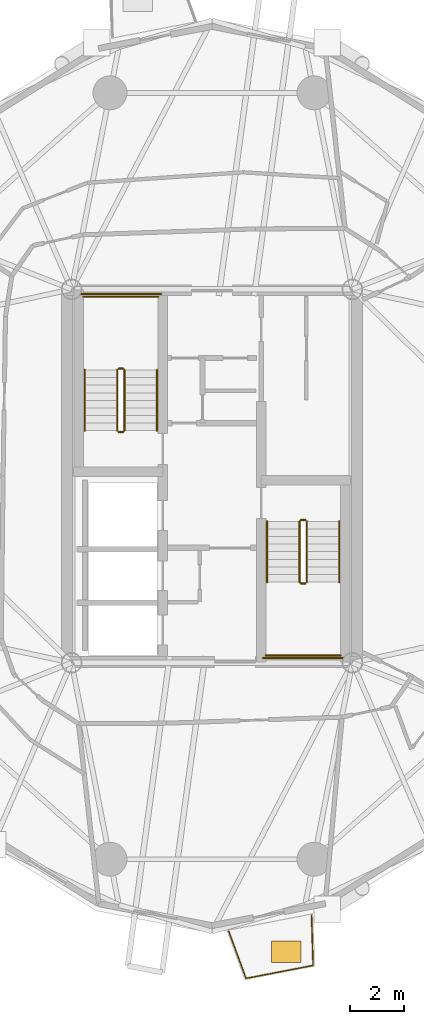
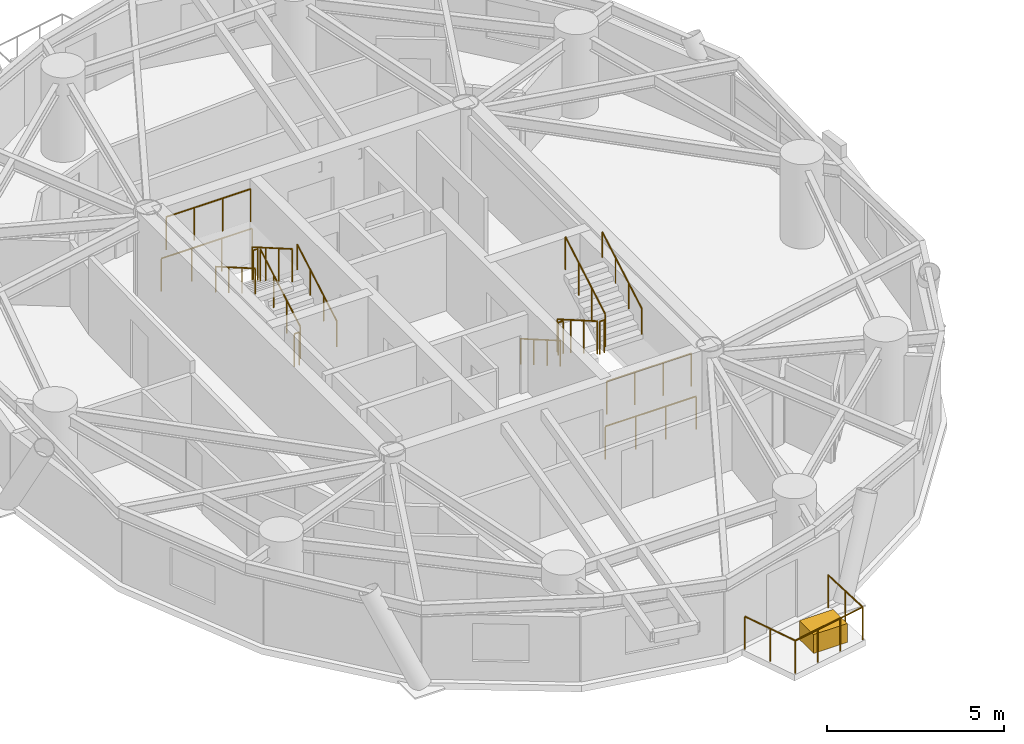
# One storey, part 16 of 18: 17 railings, 1 covering.
"""IFC4 building model written with IfcOpenShell, lengths in metres."""

import ifcopenshell
import ifcopenshell.guid

model = None  # the IFC model being written
_history = None  # IfcOwnerHistory: only IFC2X3 demands one
_inside = {}  # id of a spatial element -> (the spatial element, [elements in it])
_under = {}  # id of a project, library or spatial element -> (it, [spatial elements below it])
_declared = {}  # id of a project -> (the project, [libraries it declares])
_typed = {}  # id of a type object -> (the type object, [elements of that type])
_made_of = {}  # id of a material, layer set ... -> (it, [elements and type objects made of it])


def new_model(schema):
    """Start an empty IFC model of exactly this schema.

    Asked for "IFC4X3", IfcOpenShell would pick the latest addendum, in which some entities
    have other attributes; the version numbers below select the first issue.
    IFC2X3 requires an IfcOwnerHistory on every rooted entity: one is made here for all.
    """
    global model, _history
    if schema == "IFC4X3":
        model = ifcopenshell.file(schema_version=(4, 3, 0, 0))
    else:
        model = ifcopenshell.file(schema=schema)
    _inside.clear()
    _under.clear()
    _declared.clear()
    _typed.clear()
    _made_of.clear()
    _history = None
    if model.schema == "IFC2X3":
        org = make("IfcOrganization", Name="unknown")
        user = make(
            "IfcPersonAndOrganization",
            ThePerson=make("IfcPerson", FamilyName="unknown"),
            TheOrganization=org,
        )
        app = make(
            "IfcApplication",
            ApplicationDeveloper=org,
            Version="unknown",
            ApplicationFullName="unknown",
            ApplicationIdentifier="unknown",
        )
        _history = make(
            "IfcOwnerHistory",
            OwningUser=user,
            OwningApplication=app,
            ChangeAction="ADDED",
            CreationDate=0,
        )
    return model


def make(cls, **values):
    """One entity of the class cls with the attributes given. An attribute that is None is left unset."""
    return model.create_entity(
        cls, **{name: value for name, value in values.items() if value is not None}
    )


def rooted(cls, **values):
    """An entity with a GlobalId (a new one), such as an element, a storey or a relation."""
    return make(cls, GlobalId=ifcopenshell.guid.new(), OwnerHistory=_history, **values)


def si_unit(unit_type, name, prefix=None):
    """IfcSIUnit, for example si_unit("LENGTHUNIT", "METRE", prefix="MILLI")."""
    return make("IfcSIUnit", UnitType=unit_type, Prefix=prefix, Name=name)


def assignment(units):
    """IfcUnitAssignment: the units of a project."""
    return None if units is None else make("IfcUnitAssignment", Units=units)


def point(xyz):
    """IfcCartesianPoint."""
    return None if xyz is None else make("IfcCartesianPoint", Coordinates=xyz)


def direction(xyz):
    """IfcDirection."""
    return None if xyz is None else make("IfcDirection", DirectionRatios=xyz)


def frame(location, z_axis=None, x_axis=None):
    """IfcAxis2Placement3D, a coordinate frame: its origin and axes. An axis left out is left unset."""
    return make(
        "IfcAxis2Placement3D",
        Location=point(location),
        Axis=direction(z_axis),
        RefDirection=direction(x_axis),
    )


def frame_2d(location, x_axis=None):
    """IfcAxis2Placement2D, a coordinate frame in the plane: its origin and x axis."""
    return make(
        "IfcAxis2Placement2D", Location=point(location), RefDirection=direction(x_axis)
    )


def origin():
    """The frame at (0, 0, 0) with its axes left unset."""
    return frame((0.0, 0.0, 0.0))


def origin_2d():
    """The frame at (0, 0) in the plane with its x axis left unset."""
    return frame_2d((0.0, 0.0))


def place(relative_to, where):
    """IfcLocalPlacement: puts the frame where relative to a parent placement (None: the world)."""
    return make(
        "IfcLocalPlacement", PlacementRelTo=relative_to, RelativePlacement=where
    )


def context(
    kind, dimensions, precision=None, world=None, true_north=None, identifier=None
):
    """IfcGeometricRepresentationContext, for example the 3D "Model" context."""
    return make(
        "IfcGeometricRepresentationContext",
        ContextIdentifier=identifier,
        ContextType=kind,
        CoordinateSpaceDimension=dimensions,
        Precision=precision,
        WorldCoordinateSystem=world,
        TrueNorth=true_north,
    )


def subcontext(parent, identifier, kind, view, scale=None):
    """IfcGeometricRepresentationSubContext, for example "Body" below "Model"."""
    return make(
        "IfcGeometricRepresentationSubContext",
        ContextIdentifier=identifier,
        ContextType=kind,
        ParentContext=parent,
        TargetScale=scale,
        TargetView=view,
    )


def project(units=None, contexts=None):
    """IfcProject with its units and contexts."""
    return rooted(
        "IfcProject",
        Name="project",
        RepresentationContexts=contexts,
        UnitsInContext=assignment(units),
    )


def spatial(cls, under=None, at=None, **own):
    """A site, building, storey or space (cls), placed at a placement, below another one or the project."""
    s = rooted(cls, ObjectPlacement=at, **own)
    if under is not None:
        _under.setdefault(under.id(), (under, []))[1].append(s)
    return s


def profile(cls, at=None, kind="AREA", **sizes):
    """A parametric profile (cls). Its sizes go by their IFC names, for example OverallWidth=200.0."""
    return make(cls, ProfileType=kind, Position=at, **sizes)


def rectangle(**sizes):
    """IfcRectangleProfileDef."""
    return profile("IfcRectangleProfileDef", **sizes)


def circle(**sizes):
    """IfcCircleProfileDef."""
    return profile("IfcCircleProfileDef", **sizes)


def extrude(swept, where, along, depth):
    """IfcExtrudedAreaSolid: the profile swept, set in the frame where, extruded along a direction by depth."""
    return make(
        "IfcExtrudedAreaSolid",
        SweptArea=swept,
        Position=where,
        ExtrudedDirection=direction(along),
        Depth=depth,
    )


def shape(context_of_items, identifier, shape_type, items):
    """IfcShapeRepresentation: the items that make up one representation, for example the "Body"."""
    return make(
        "IfcShapeRepresentation",
        ContextOfItems=context_of_items,
        RepresentationIdentifier=identifier,
        RepresentationType=shape_type,
        Items=items,
    )


def source(mapping_origin, context_of_items, identifier, shape_type, items):
    """IfcRepresentationMap: a shape defined once, which mapped items show again and again."""
    return make(
        "IfcRepresentationMap",
        MappingOrigin=mapping_origin,
        MappedRepresentation=shape(context_of_items, identifier, shape_type, items),
    )


def transform(
    local_origin,
    x_axis=None,
    y_axis=None,
    z_axis=None,
    scale=None,
    scale2=None,
    scale3=None,
    uniform=True,
):
    """IfcCartesianTransformationOperator3D, or its non-uniform kind. x_axis, y_axis, z_axis: its Axis1, 2, 3."""
    if uniform:
        return make(
            "IfcCartesianTransformationOperator3D",
            Axis1=direction(x_axis),
            Axis2=direction(y_axis),
            LocalOrigin=point(local_origin),
            Scale=scale,
            Axis3=direction(z_axis),
        )
    return make(
        "IfcCartesianTransformationOperator3DnonUniform",
        Axis1=direction(x_axis),
        Axis2=direction(y_axis),
        LocalOrigin=point(local_origin),
        Scale=scale,
        Axis3=direction(z_axis),
        Scale2=scale2,
        Scale3=scale3,
    )


def mapped(mapping_source, mapping_target):
    """IfcMappedItem: shows the shape of a source again, moved by a transform."""
    return make(
        "IfcMappedItem", MappingSource=mapping_source, MappingTarget=mapping_target
    )


def material(Name=None, Category=None):
    """IfcMaterial."""
    return make("IfcMaterial", Name=Name, Category=Category)


def layer(
    of_material, thickness, ventilated=None, Name=None, Category=None, Priority=None
):
    """IfcMaterialLayer: one layer of a wall or slab, of a material (None: an air gap)."""
    return make(
        "IfcMaterialLayer",
        Material=of_material,
        LayerThickness=thickness,
        IsVentilated=ventilated,
        Name=Name,
        Category=Category,
        Priority=Priority,
    )


def layer_set(layers, Name=None):
    """IfcMaterialLayerSet."""
    return make("IfcMaterialLayerSet", MaterialLayers=layers, LayerSetName=Name)


def made_of(thing, what):
    """Note that an element or type object is made of a material, layer set ...; save() writes the relation."""
    if what is not None:
        _made_of.setdefault(what.id(), (what, []))[1].append(thing)
    return thing


def type_object(cls, material=None, **own):
    """A type object (cls), such as IfcWallType, which elements share."""
    return made_of(rooted(cls, **own), material)


def element(
    cls,
    number,
    at=None,
    inside=None,
    cuts=None,
    type_object=None,
    material=None,
    context=None,
    identifier="Body",
    shape_type=None,
    held_by="IfcProductDefinitionShape",
    body=None,
    shapes=None,
    **own,
):
    """One element of the class cls, such as IfcWall. Its Tag is "e" and its number.

    at: its placement. inside: the storey or other place that contains it. cuts: it is an
    opening in that element (IfcRelVoidsElement). A single representation is given by context,
    identifier, shape_type and body (its items); several are given by shapes. held_by: the class
    of the entity that holds the representations. save() writes the other relations.
    """
    e = rooted(cls, Tag="e%d" % number, ObjectPlacement=at, **own)
    if body is not None:
        shapes = [shape(context, identifier, shape_type, body)]
    if shapes is not None:
        e.Representation = make(held_by, Representations=shapes)
    if inside is not None:
        _inside.setdefault(inside.id(), (inside, []))[1].append(e)
    if cuts is not None:
        rooted(
            "IfcRelVoidsElement", RelatingBuildingElement=cuts, RelatedOpeningElement=e
        )
    if type_object is not None:
        _typed.setdefault(type_object.id(), (type_object, []))[1].append(e)
    return made_of(e, material)


def aggregate(whole, parts):
    """IfcRelAggregates: a whole, such as a stair, and the parts it consists of."""
    return rooted("IfcRelAggregates", RelatingObject=whole, RelatedObjects=parts)


def save(model, path):
    """Write the relations noted so far, then the file.

    IfcRelAggregates (storeys below a building ...), IfcRelContainedInSpatialStructure (elements
    in a storey), IfcRelDefinesByType, IfcRelAssociatesMaterial and IfcRelDeclares: one each for
    every whole, place, type object, material and project.
    """
    for whole, parts in _under.values():
        aggregate(whole, parts)
    for where, things in _inside.values():
        rooted(
            "IfcRelContainedInSpatialStructure",
            RelatedElements=things,
            RelatingStructure=where,
        )
    for kind, things in _typed.values():
        rooted("IfcRelDefinesByType", RelatedObjects=things, RelatingType=kind)
    for what, things in _made_of.values():
        rooted("IfcRelAssociatesMaterial", RelatedObjects=things, RelatingMaterial=what)
    for by, libraries in _declared.values():
        rooted("IfcRelDeclares", RelatingContext=by, RelatedDefinitions=libraries)
    model.write(path)


model = new_model("IFC4")

# Units and contexts
model_context = context("Model", 3, precision=1e-05, world=origin(), true_north=direction((0.0, 1.0)))
body_context = subcontext(model_context, "Body", "Model", "MODEL_VIEW")
ifc_project = project(units=[si_unit("LENGTHUNIT", "METRE"), si_unit("AREAUNIT", "SQUARE_METRE"), si_unit("VOLUMEUNIT", "CUBIC_METRE"), si_unit("PLANEANGLEUNIT", "RADIAN"), si_unit("MASSUNIT", "GRAM", prefix="KILO")], contexts=[model_context])

# Site, building, storey
site_placement = place(None, origin())
site = spatial("IfcSite", under=ifc_project, at=site_placement, CompositionType="ELEMENT")
building_placement = place(site_placement, origin())
building = spatial("IfcBuilding", under=site, at=building_placement, Name="Cununo Teusaquillo Station Towers", CompositionType="ELEMENT")
storey_placement = place(building_placement, frame((0.0, 0.0, 169.06005859375)))
storey = spatial("IfcBuildingStorey", under=building, at=storey_placement, Name="L53", CompositionType="ELEMENT", Elevation=169.06005859375)

# Railings
ifc_material_1 = material(Name="Anodised dark bronze aluminium EN AW-6063-T6", Category="aluminium")
railing_type_1 = type_object("IfcRailingType", Name="RL-EXT-GUARD", PredefinedType="GUARDRAIL", material=ifc_material_1)
railing_1_placement = place(storey_placement, frame((20.168701171875, 8.3125, 0.0)))
element("IfcRailing", 1, at=railing_1_placement, inside=storey, type_object=railing_type_1, Name="L53 Tower A Balcony Guardrail C15", PredefinedType="GUARDRAIL", context=body_context, shape_type="SweptSolid", body=[
    extrude(circle(Radius=0.02392578125, at=origin_2d()), frame((0.0, 0.0, 1.1259765625), z_axis=(0.030460792522, -0.999535962394, 0.0), x_axis=(0.999535962394, 0.030460792522, 0.0)), (0.0, 0.0, 1.0), 1.8515625),
    extrude(circle(Radius=0.02392578125, at=origin_2d()), frame((0.056396484375, -1.8505859375, 1.1259765625), z_axis=(-0.981842829823, -0.189696224332, 0.0), x_axis=(0.189696224332, -0.981842829823, 0.0)), (0.0, 0.0, 1.0), 2.517333984375),
    extrude(circle(Radius=0.02392578125, at=origin_2d()), frame((-2.415283203125, -2.328125, 1.1259765625), z_axis=(-0.3440608985, 0.938947335117, 0.0), x_axis=(-0.938947335117, -0.3440608985, 0.0)), (0.0, 0.0, 1.0), 1.851318359375),
    extrude(circle(Radius=0.02099609375, at=origin_2d()), origin(), (0.0, 0.0, 1.0), 1.101806640625),
    extrude(circle(Radius=0.02099609375, at=origin_2d()), frame((0.0283203125, -0.92529296875, 0.0)), (0.0, 0.0, 1.0), 1.101806640625),
    extrude(circle(Radius=0.02099609375, at=origin_2d()), frame((0.056396484375, -1.8505859375, 0.0)), (0.0, 0.0, 1.0), 1.101806640625),
    extrude(circle(Radius=0.02099609375, at=origin_2d()), frame((-0.767578125, -2.009765625, 0.0)), (0.0, 0.0, 1.0), 1.101806640625),
    extrude(circle(Radius=0.02099609375, at=origin_2d()), frame((-1.59130859375, -2.1689453125, 0.0)), (0.0, 0.0, 1.0), 1.101806640625),
    extrude(circle(Radius=0.02099609375, at=origin_2d()), frame((-2.415283203125, -2.328125, 0.0)), (0.0, 0.0, 1.0), 1.101806640625),
    extrude(circle(Radius=0.02099609375, at=origin_2d()), frame((-2.73388671875, -1.458984375, 0.0)), (0.0, 0.0, 1.0), 1.101806640625),
    extrude(circle(Radius=0.02099609375, at=origin_2d()), frame((-3.05224609375, -0.58984375, 0.0)), (0.0, 0.0, 1.0), 1.101806640625),
])
ifc_material_2 = material(Name="Steel EN 10025-2 S355J2", Category="steel")
railing_type_2 = type_object("IfcRailingType", Name="RL-INT-GUARD", PredefinedType="GUARDRAIL", material=ifc_material_2)
railing_2_placement = place(storey_placement, frame((13.27001953125, 26.169921875, 0.16162109375)))
element("IfcRailing", 2, at=railing_2_placement, inside=storey, type_object=railing_type_2, Name="L53 ST-T1-1 stair guard 1", PredefinedType="GUARDRAIL", context=body_context, shape_type="SweptSolid", body=[
    extrude(circle(Radius=0.02392578125, at=origin_2d()), frame((0.0, 0.0, 1.1259765625), z_axis=(0.0, 0.866033117094, 0.499986639918), x_axis=(-1.0, 0.0, 0.0)), (0.0, 0.0, 1.0), 2.58642578125),
    extrude(circle(Radius=0.02099609375, at=origin_2d()), origin(), (0.0, 0.0, 1.0), 1.101806640625),
    extrude(circle(Radius=0.02099609375, at=origin_2d()), frame((0.0, 0.74658203125, 0.43115234375)), (0.0, 0.0, 1.0), 1.101806640625),
    extrude(circle(Radius=0.02099609375, at=origin_2d()), frame((0.0, 1.493408203125, 0.862060546875)), (0.0, 0.0, 1.0), 1.101806640625),
    extrude(circle(Radius=0.02099609375, at=origin_2d()), frame((0.0, 2.239990234375, 1.293212890625)), (0.0, 0.0, 1.0), 1.101806640625),
])
railing_3_placement = place(storey_placement, frame((13.219970703125, 28.4599609375, 1.454833984375)))
element("IfcRailing", 3, at=railing_3_placement, inside=storey, type_object=railing_type_2, Name="L53 ST-T1-1 stair guard 2", PredefinedType="GUARDRAIL", context=body_context, shape_type="SweptSolid", body=[
    extrude(circle(Radius=0.02392578125, at=origin_2d()), frame((0.0, 0.0, 1.1259765625), z_axis=(-1.0, 0.0, 0.0), x_axis=(0.0, -1.0, 0.0)), (0.0, 0.0, 1.0), 0.159912109375),
    extrude(circle(Radius=0.02099609375, at=origin_2d()), origin(), (0.0, 0.0, 1.0), 1.101806640625),
    extrude(circle(Radius=0.02099609375, at=origin_2d()), frame((-0.159912109375, 0.0, 0.0)), (0.0, 0.0, 1.0), 1.101806640625),
])
railing_4_placement = place(storey_placement, frame((14.52001953125, 31.110107421875, 1.454833984375)))
element("IfcRailing", 4, at=railing_4_placement, inside=storey, type_object=railing_type_2, Name="L53 ST-T1-1 stair guard 3", PredefinedType="GUARDRAIL", context=body_context, shape_type="SweptSolid", body=[
    extrude(circle(Radius=0.02392578125, at=origin_2d()), frame((0.0, 0.0, 1.1259765625), z_axis=(-1.0, 0.0, 0.0), x_axis=(0.0, -1.0, 0.0)), (0.0, 0.0, 1.0), 2.760009765625),
    extrude(circle(Radius=0.02099609375, at=origin_2d()), origin(), (0.0, 0.0, 1.0), 1.101806640625),
    extrude(circle(Radius=0.02099609375, at=origin_2d()), frame((-0.919921875, 0.0, 0.0)), (0.0, 0.0, 1.0), 1.101806640625),
    extrude(circle(Radius=0.02099609375, at=origin_2d()), frame((-1.840087890625, 0.0, 0.0)), (0.0, 0.0, 1.0), 1.101806640625),
    extrude(circle(Radius=0.02099609375, at=origin_2d()), frame((-2.760009765625, 0.0, 0.0)), (0.0, 0.0, 1.0), 1.101806640625),
])
railing_5_placement = place(storey_placement, frame((13.010009765625, 28.409912109375, 1.61669921875)))
element("IfcRailing", 5, at=railing_5_placement, inside=storey, type_object=railing_type_2, Name="L53 ST-T1-1 stair guard 4", PredefinedType="GUARDRAIL", context=body_context, shape_type="SweptSolid", body=[
    extrude(circle(Radius=0.02392578125, at=origin_2d()), frame((0.0, 0.0, 1.1259765625), z_axis=(0.0, -0.866033117094, 0.499986639918), x_axis=(1.0, 0.0, 0.0)), (0.0, 0.0, 1.0), 2.58642578125),
    extrude(circle(Radius=0.02099609375, at=origin_2d()), origin(), (0.0, 0.0, 1.0), 1.101806640625),
    extrude(circle(Radius=0.02099609375, at=origin_2d()), frame((0.0, -0.74658203125, 0.43115234375)), (0.0, 0.0, 1.0), 1.101806640625),
    extrude(circle(Radius=0.02099609375, at=origin_2d()), frame((0.0, -1.493408203125, 0.862060546875)), (0.0, 0.0, 1.0), 1.101806640625),
    extrude(circle(Radius=0.02099609375, at=origin_2d()), frame((0.0, -2.239990234375, 1.293212890625)), (0.0, 0.0, 1.0), 1.101806640625),
])
railing_6_placement = place(storey_placement, frame((13.219970703125, 26.1201171875, 0.0)))
element("IfcRailing", 6, at=railing_6_placement, inside=storey, type_object=railing_type_2, Name="L53 ST-T1-1 stair guard 5", PredefinedType="GUARDRAIL", context=body_context, shape_type="SweptSolid", body=[
    extrude(circle(Radius=0.02392578125, at=origin_2d()), frame((0.0, 0.0, 1.1259765625), z_axis=(-1.0, 0.0, 0.0), x_axis=(0.0, -1.0, 0.0)), (0.0, 0.0, 1.0), 0.159912109375),
    extrude(circle(Radius=0.02099609375, at=origin_2d()), origin(), (0.0, 0.0, 1.0), 1.101806640625),
    extrude(circle(Radius=0.02099609375, at=origin_2d()), frame((-0.159912109375, 0.0, 0.0)), (0.0, 0.0, 1.0), 1.101806640625),
])
railing_7_placement = place(storey_placement, frame((14.6201171875, 31.2099609375, 0.0)))
element("IfcRailing", 7, at=railing_7_placement, inside=storey, type_object=railing_type_2, Name="L53 ST-T1-1 stair guard 6", PredefinedType="GUARDRAIL", context=body_context, shape_type="SweptSolid", body=[
    extrude(circle(Radius=0.02392578125, at=origin_2d()), frame((0.0, 0.0, 1.1259765625), z_axis=(-1.0, 0.0, 0.0), x_axis=(0.0, -1.0, 0.0)), (0.0, 0.0, 1.0), 2.960205078125),
    extrude(circle(Radius=0.02099609375, at=origin_2d()), origin(), (0.0, 0.0, 1.0), 1.101806640625),
    extrude(circle(Radius=0.02099609375, at=origin_2d()), frame((-0.98681640625, 0.0, 0.0)), (0.0, 0.0, 1.0), 1.101806640625),
    extrude(circle(Radius=0.02099609375, at=origin_2d()), frame((-1.973388671875, 0.0, 0.0)), (0.0, 0.0, 1.0), 1.101806640625),
    extrude(circle(Radius=0.02099609375, at=origin_2d()), frame((-2.960205078125, 0.0, 0.0)), (0.0, 0.0, 1.0), 1.101806640625),
])
railing_8_placement = place(storey_placement, frame((19.72998046875, 22.830078125, 0.16162109375)))
element("IfcRailing", 8, at=railing_8_placement, inside=storey, type_object=railing_type_2, Name="L53 ST-T1-2 stair guard 1", PredefinedType="GUARDRAIL", context=body_context, shape_type="SweptSolid", body=[
    extrude(circle(Radius=0.02392578125, at=origin_2d()), frame((0.0, 0.0, 1.1259765625), z_axis=(0.0, -0.866033117094, 0.499986639918), x_axis=(1.0, 0.0, 0.0)), (0.0, 0.0, 1.0), 2.58642578125),
    extrude(circle(Radius=0.02099609375, at=origin_2d()), origin(), (0.0, 0.0, 1.0), 1.101806640625),
    extrude(circle(Radius=0.02099609375, at=origin_2d()), frame((0.0, -0.74658203125, 0.43115234375)), (0.0, 0.0, 1.0), 1.101806640625),
    extrude(circle(Radius=0.02099609375, at=origin_2d()), frame((0.0, -1.493408203125, 0.862060546875)), (0.0, 0.0, 1.0), 1.101806640625),
    extrude(circle(Radius=0.02099609375, at=origin_2d()), frame((0.0, -2.239990234375, 1.293212890625)), (0.0, 0.0, 1.0), 1.101806640625),
])
railing_9_placement = place(storey_placement, frame((19.780029296875, 20.5400390625, 1.454833984375)))
element("IfcRailing", 9, at=railing_9_placement, inside=storey, type_object=railing_type_2, Name="L53 ST-T1-2 stair guard 2", PredefinedType="GUARDRAIL", context=body_context, shape_type="SweptSolid", body=[
    extrude(circle(Radius=0.02392578125, at=origin_2d()), frame((0.0, 0.0, 1.1259765625), z_axis=(1.0, 0.0, 0.0), x_axis=(0.0, 1.0, 0.0)), (0.0, 0.0, 1.0), 0.159912109375),
    extrude(circle(Radius=0.02099609375, at=origin_2d()), origin(), (0.0, 0.0, 1.0), 1.101806640625),
    extrude(circle(Radius=0.02099609375, at=origin_2d()), frame((0.159912109375, 0.0, 0.0)), (0.0, 0.0, 1.0), 1.101806640625),
])
railing_10_placement = place(storey_placement, frame((18.47998046875, 17.889892578125, 1.454833984375)))
element("IfcRailing", 10, at=railing_10_placement, inside=storey, type_object=railing_type_2, Name="L53 ST-T1-2 stair guard 3", PredefinedType="GUARDRAIL", context=body_context, shape_type="SweptSolid", body=[
    extrude(circle(Radius=0.02392578125, at=origin_2d()), frame((0.0, 0.0, 1.1259765625), z_axis=(1.0, 0.0, 0.0), x_axis=(0.0, 1.0, 0.0)), (0.0, 0.0, 1.0), 2.760009765625),
    extrude(circle(Radius=0.02099609375, at=origin_2d()), origin(), (0.0, 0.0, 1.0), 1.101806640625),
    extrude(circle(Radius=0.02099609375, at=origin_2d()), frame((0.919921875, 0.0, 0.0)), (0.0, 0.0, 1.0), 1.101806640625),
    extrude(circle(Radius=0.02099609375, at=origin_2d()), frame((1.840087890625, 0.0, 0.0)), (0.0, 0.0, 1.0), 1.101806640625),
    extrude(circle(Radius=0.02099609375, at=origin_2d()), frame((2.760009765625, 0.0, 0.0)), (0.0, 0.0, 1.0), 1.101806640625),
])
railing_11_placement = place(storey_placement, frame((19.989990234375, 20.590087890625, 1.61669921875)))
element("IfcRailing", 11, at=railing_11_placement, inside=storey, type_object=railing_type_2, Name="L53 ST-T1-2 stair guard 4", PredefinedType="GUARDRAIL", context=body_context, shape_type="SweptSolid", body=[
    extrude(circle(Radius=0.02392578125, at=origin_2d()), frame((0.0, 0.0, 1.1259765625), z_axis=(0.0, 0.866033117094, 0.499986639918), x_axis=(-1.0, 0.0, 0.0)), (0.0, 0.0, 1.0), 2.58642578125),
    extrude(circle(Radius=0.02099609375, at=origin_2d()), origin(), (0.0, 0.0, 1.0), 1.101806640625),
    extrude(circle(Radius=0.02099609375, at=origin_2d()), frame((0.0, 0.74658203125, 0.43115234375)), (0.0, 0.0, 1.0), 1.101806640625),
    extrude(circle(Radius=0.02099609375, at=origin_2d()), frame((0.0, 1.493408203125, 0.862060546875)), (0.0, 0.0, 1.0), 1.101806640625),
    extrude(circle(Radius=0.02099609375, at=origin_2d()), frame((0.0, 2.239990234375, 1.293212890625)), (0.0, 0.0, 1.0), 1.101806640625),
])
railing_12_placement = place(storey_placement, frame((19.780029296875, 22.8798828125, 0.0)))
element("IfcRailing", 12, at=railing_12_placement, inside=storey, type_object=railing_type_2, Name="L53 ST-T1-2 stair guard 5", PredefinedType="GUARDRAIL", context=body_context, shape_type="SweptSolid", body=[
    extrude(circle(Radius=0.02392578125, at=origin_2d()), frame((0.0, 0.0, 1.1259765625), z_axis=(1.0, 0.0, 0.0), x_axis=(0.0, 1.0, 0.0)), (0.0, 0.0, 1.0), 0.159912109375),
    extrude(circle(Radius=0.02099609375, at=origin_2d()), origin(), (0.0, 0.0, 1.0), 1.101806640625),
    extrude(circle(Radius=0.02099609375, at=origin_2d()), frame((0.159912109375, 0.0, 0.0)), (0.0, 0.0, 1.0), 1.101806640625),
])
railing_13_placement = place(storey_placement, frame((18.3798828125, 17.7900390625, 0.0)))
element("IfcRailing", 13, at=railing_13_placement, inside=storey, type_object=railing_type_2, Name="L53 ST-T1-2 stair guard 6", PredefinedType="GUARDRAIL", context=body_context, shape_type="SweptSolid", body=[
    extrude(circle(Radius=0.02392578125, at=origin_2d()), frame((0.0, 0.0, 1.1259765625), z_axis=(1.0, 0.0, 0.0), x_axis=(0.0, 1.0, 0.0)), (0.0, 0.0, 1.0), 2.960205078125),
    extrude(circle(Radius=0.02099609375, at=origin_2d()), origin(), (0.0, 0.0, 1.0), 1.101806640625),
    extrude(circle(Radius=0.02099609375, at=origin_2d()), frame((0.98681640625, 0.0, 0.0)), (0.0, 0.0, 1.0), 1.101806640625),
    extrude(circle(Radius=0.02099609375, at=origin_2d()), frame((1.973388671875, 0.0, 0.0)), (0.0, 0.0, 1.0), 1.101806640625),
    extrude(circle(Radius=0.02099609375, at=origin_2d()), frame((2.960205078125, 0.0, 0.0)), (0.0, 0.0, 1.0), 1.101806640625),
])
ifc_material_3 = material(Name="Steel EN 10025-2 S355J2", Category="steel")
railing_type_3 = type_object("IfcRailingType", Name="RL-INT-HRAIL", PredefinedType="HANDRAIL", material=ifc_material_3)
railing_14_placement = place(storey_placement, frame((14.469970703125, 26.169921875, 0.16162109375)))
element("IfcRailing", 14, at=railing_14_placement, inside=storey, type_object=railing_type_3, Name="L53 ST-T1-1 stair handrail 1", PredefinedType="HANDRAIL", context=body_context, shape_type="SweptSolid", body=[
    extrude(circle(Radius=0.02392578125, at=origin_2d()), frame((0.0, 0.0, 0.8759765625), z_axis=(0.0, 0.866033117094, 0.499986639918), x_axis=(-1.0, 0.0, 0.0)), (0.0, 0.0, 1.0), 2.58642578125),
    extrude(circle(Radius=0.02099609375, at=origin_2d()), origin(), (0.0, 0.0, 1.0), 0.851806640625),
    extrude(circle(Radius=0.02099609375, at=origin_2d()), frame((0.0, 0.74658203125, 0.43115234375)), (0.0, 0.0, 1.0), 0.851806640625),
    extrude(circle(Radius=0.02099609375, at=origin_2d()), frame((0.0, 1.493408203125, 0.862060546875)), (0.0, 0.0, 1.0), 0.851806640625),
    extrude(circle(Radius=0.02099609375, at=origin_2d()), frame((0.0, 2.239990234375, 1.293212890625)), (0.0, 0.0, 1.0), 0.851806640625),
])
for number, where, name in (
    (15, (11.81005859375, 28.409912109375, 1.61669921875), "L53 ST-T1-1 stair handrail 2"),
    (16, (18.530029296875, 22.830078125, 0.16162109375), "L53 ST-T1-2 stair handrail 1"),
):
    element("IfcRailing", number, at=place(storey_placement, frame(where)), inside=storey, type_object=railing_type_3, Name=name, PredefinedType="HANDRAIL", context=body_context, shape_type="SweptSolid", body=[
        extrude(circle(Radius=0.02392578125, at=origin_2d()), frame((0.0, 0.0, 0.8759765625), z_axis=(0.0, -0.866033117094, 0.499986639918), x_axis=(1.0, 0.0, 0.0)), (0.0, 0.0, 1.0), 2.58642578125),
        extrude(circle(Radius=0.02099609375, at=origin_2d()), origin(), (0.0, 0.0, 1.0), 0.851806640625),
        extrude(circle(Radius=0.02099609375, at=origin_2d()), frame((0.0, -0.74658203125, 0.43115234375)), (0.0, 0.0, 1.0), 0.851806640625),
        extrude(circle(Radius=0.02099609375, at=origin_2d()), frame((0.0, -1.493408203125, 0.862060546875)), (0.0, 0.0, 1.0), 0.851806640625),
        extrude(circle(Radius=0.02099609375, at=origin_2d()), frame((0.0, -2.239990234375, 1.293212890625)), (0.0, 0.0, 1.0), 0.851806640625),
    ])
railing_15_placement = place(storey_placement, frame((21.18994140625, 20.590087890625, 1.61669921875)))
element("IfcRailing", 17, at=railing_15_placement, inside=storey, type_object=railing_type_3, Name="L53 ST-T1-2 stair handrail 2", PredefinedType="HANDRAIL", context=body_context, shape_type="SweptSolid", body=[
    extrude(circle(Radius=0.02392578125, at=origin_2d()), frame((0.0, 0.0, 0.8759765625), z_axis=(0.0, 0.866033117094, 0.499986639918), x_axis=(-1.0, 0.0, 0.0)), (0.0, 0.0, 1.0), 2.58642578125),
    extrude(circle(Radius=0.02099609375, at=origin_2d()), origin(), (0.0, 0.0, 1.0), 0.851806640625),
    extrude(circle(Radius=0.02099609375, at=origin_2d()), frame((0.0, 0.74658203125, 0.43115234375)), (0.0, 0.0, 1.0), 0.851806640625),
    extrude(circle(Radius=0.02099609375, at=origin_2d()), frame((0.0, 1.493408203125, 0.862060546875)), (0.0, 0.0, 1.0), 0.851806640625),
    extrude(circle(Radius=0.02099609375, at=origin_2d()), frame((0.0, 2.239990234375, 1.293212890625)), (0.0, 0.0, 1.0), 0.851806640625),
])

# Covering
ifc_material_4 = material(Name="Architectural GRC planter shell and engineered root-zone substrate", Category="concrete")
ifc_layer = layer(ifc_material_4, 0.64990234375)
ifc_layer_set = layer_set([ifc_layer], Name="Architectural GRC planter shell and engineered root-zone substrate")
covering_type = type_object("IfcCoveringType", Name="COV-TREE-PLANTER", PredefinedType="CLADDING", material=ifc_layer_set)
shared_shape = source(origin(), body_context, "Body", "SweptSolid", [
    extrude(rectangle(XDim=1.10009765625, YDim=0.800048828125, at=origin_2d()), origin(), (0.0, 0.0, 1.0), 0.64990234375),
])
covering_placement = place(storey_placement, frame((19.237060546875, 6.97021484375, 0.0), z_axis=(0.0, 0.0, 1.0), x_axis=(1.0, 0.0, 0.0)))
element("IfcCovering", 18, at=covering_placement, inside=storey, type_object=covering_type, Name="L53 Tower A Balcony Tree PLANTER C15", PredefinedType="CLADDING", context=body_context, shape_type="MappedRepresentation", body=[
    mapped(shared_shape, transform((0.0, 0.0, 0.0), x_axis=(1.0, 0.0, 0.0), y_axis=(0.0, 1.0, 0.0), z_axis=(0.0, 0.0, 1.0), scale=1.0)),
])

save(model, "model.ifc")
